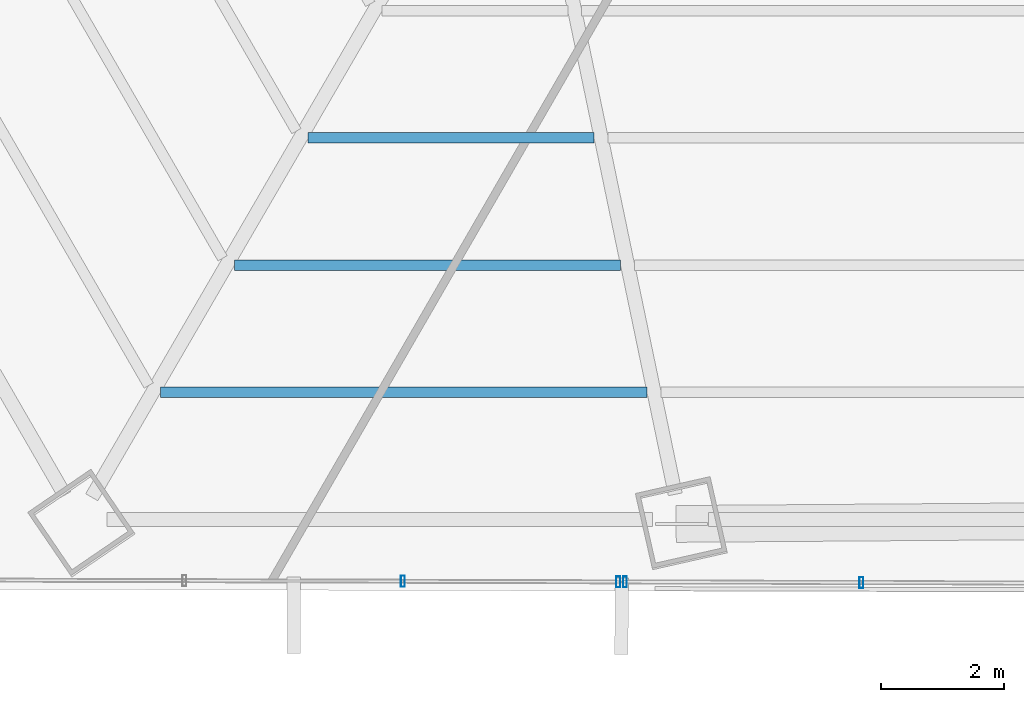
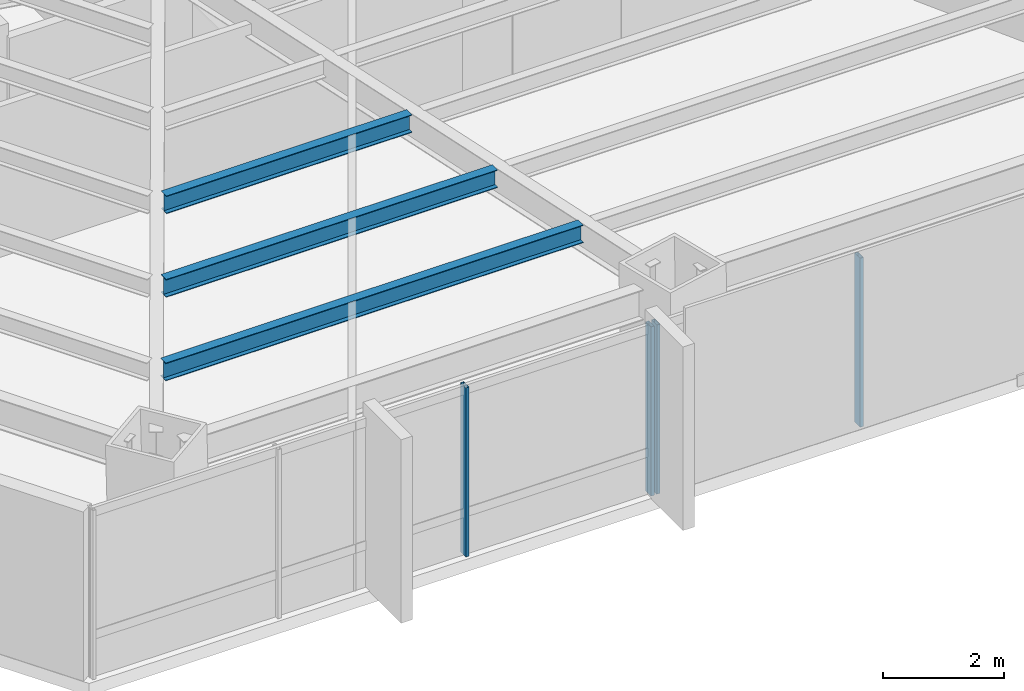
# One storey, part 5 of 29: 4 members, 3 beams, 2 elements without a shape of their own.
"""IFC4 building model written with IfcOpenShell, lengths in metres."""

from ifc_helpers import new_model, si_unit, direction, frame, origin, origin_2d, place, context, subcontext, project, spatial, hollow_rectangle, i_section, extrude, source, transform, mapped, material, material_profile, profile_set, type_object, type_shapes, element, aggregate, save


model = new_model("IFC4")

# Units and contexts
model_context = context("Model", 3, precision=1e-05, world=origin(), true_north=direction((0.0, 1.0)))
body_context = subcontext(model_context, "Body", "Model", "MODEL_VIEW")
ifc_project = project(units=[si_unit("LENGTHUNIT", "METRE"), si_unit("AREAUNIT", "SQUARE_METRE"), si_unit("VOLUMEUNIT", "CUBIC_METRE"), si_unit("PLANEANGLEUNIT", "RADIAN"), si_unit("MASSUNIT", "GRAM", prefix="KILO")], contexts=[model_context])

# Site, building, storey
site_placement = place(None, origin())
site = spatial("IfcSite", under=ifc_project, at=site_placement, CompositionType="ELEMENT")
building_placement = place(site_placement, origin())
building = spatial("IfcBuilding", under=site, at=building_placement, Name="Caelisora Broadcast Tower", CompositionType="ELEMENT")
storey_placement = place(building_placement, frame((0.0, 0.0, 31.25)))
storey = spatial("IfcBuildingStorey", under=building, at=storey_placement, Name="L07", CompositionType="ELEMENT", Elevation=31.25)

# Beams
ifc_material_1 = material(Name="Steel Grade 350 (AS/NZS 3679.1)", Category="steel")
ifc_material_profile_1 = material_profile(ifc_material_1, i_section(OverallWidth=0.172119140625, OverallDepth=0.358642578125, WebThickness=0.008056640625, FlangeThickness=0.012939453125, at=origin_2d()), Name="Steel Grade 350 (AS/NZS 3679.1)")
ifc_profile_set_1 = profile_set([ifc_material_profile_1], Name="Steel Grade 350 (AS/NZS 3679.1)")
beam_type = type_object("IfcBeamType", Name="SB02", PredefinedType="JOIST", material=ifc_profile_set_1)
shared_shape_1 = source(origin(), body_context, "Body", "SweptSolid", [
    extrude(i_section(OverallWidth=0.172119140625, OverallDepth=0.358642578125, WebThickness=0.008056640625, FlangeThickness=0.012939453125, at=origin_2d()), origin(), (0.0, 0.0, 1.0), 4.66796875),
])
beam_1_placement = place(storey_placement, frame((27.013427734375, 11.17236328125, 3.220703125), z_axis=(1.0, 0.0, 0.0), x_axis=(0.0, 1.0, 0.0)))
element("IfcBeam", 1, at=beam_1_placement, inside=storey, type_object=beam_type, Name="L07 beam SB02", PredefinedType="JOIST", context=body_context, shape_type="MappedRepresentation", body=[
    mapped(shared_shape_1, transform((0.0, 0.0, 0.0), scale=1.0)),
])
shared_shape_2 = source(origin(), body_context, "Body", "SweptSolid", [
    extrude(i_section(OverallWidth=0.172119140625, OverallDepth=0.358642578125, WebThickness=0.008056640625, FlangeThickness=0.012939453125, at=origin_2d()), origin(), (0.0, 0.0, 1.0), 6.3046875),
])
beam_2_placement = place(storey_placement, frame((25.808349609375, 9.096435546875, 3.220703125), z_axis=(1.0, 0.0, 0.0), x_axis=(0.0, 1.0, 0.0)))
element("IfcBeam", 2, at=beam_2_placement, inside=storey, type_object=beam_type, Name="L07 beam SB02", PredefinedType="JOIST", context=body_context, shape_type="MappedRepresentation", body=[
    mapped(shared_shape_2, transform((0.0, 0.0, 0.0), scale=1.0)),
])
shared_shape_3 = source(origin(), body_context, "Body", "SweptSolid", [
    extrude(i_section(OverallWidth=0.172119140625, OverallDepth=0.358642578125, WebThickness=0.008056640625, FlangeThickness=0.012939453125, at=origin_2d()), origin(), (0.0, 0.0, 1.0), 7.941650390625),
])
type_shapes(beam_type, [shared_shape_1, shared_shape_2, shared_shape_3])
beam_3_placement = place(storey_placement, frame((24.603271484375, 7.0205078125, 3.220703125), z_axis=(1.0, 0.0, 0.0), x_axis=(0.0, 1.0, 0.0)))
element("IfcBeam", 3, at=beam_3_placement, inside=storey, type_object=beam_type, Name="L07 beam SB02", PredefinedType="JOIST", context=body_context, shape_type="MappedRepresentation", body=[
    mapped(shared_shape_3, transform((0.0, 0.0, 0.0), scale=1.0)),
])

# Curtain wall, members
ifc_material_2 = material(Name="Unitised Aluminium Insulated Shadow-Box Spandrel Curtain Wall", Category="aluminium")
curtain_wall_type_1 = type_object("IfcCurtainWallType", Name="CW-SP1", PredefinedType="NOTDEFINED", material=ifc_material_2)
curtain_wall_1_placement = place(storey_placement, origin())
curtain_wall_1 = element("IfcCurtainWall", 4, at=curtain_wall_1_placement, inside=storey, type_object=curtain_wall_type_1, Name="L07 curtain wall CW-SP1", PredefinedType="NOTDEFINED")
ifc_material_3 = material(Name="Aluminium 6063-T6 Anodised Terracotta Bronze", Category="aluminium")
ifc_material_profile_2 = material_profile(ifc_material_3, hollow_rectangle(XDim=0.06494140625, YDim=0.179931640625, WallThickness=0.00341796875, at=origin_2d()), Name="Aluminium 6063-T6 Anodised Terracotta Bronze")
ifc_profile_set_2 = profile_set([ifc_material_profile_2], Name="Aluminium 6063-T6 Anodised Terracotta Bronze")
member_type = type_object("IfcMemberType", Name="CWM-02", PredefinedType="MULLION", material=ifc_profile_set_2)
shared_shape_4 = source(origin(), body_context, "Body", "SweptSolid", [
    extrude(hollow_rectangle(XDim=0.06494140625, YDim=0.179931640625, WallThickness=0.00341796875, at=origin_2d()), origin(), (0.0, 0.0, 1.0), 3.39990234375),
])
type_shapes(member_type, [shared_shape_4])
member_1_placement = place(storey_placement, frame((36.042724609375, 3.915771484375, 0.0), z_axis=(0.0, 0.0, 1.0), x_axis=(1.0, 0.0, 0.0)))
member_1 = element("IfcMember", 5, at=member_1_placement, type_object=member_type, Name="L07-CW-B06 mullion #2", PredefinedType="MULLION", context=body_context, shape_type="MappedRepresentation", body=[
    mapped(shared_shape_4, transform((0.0, 0.0, 0.0), scale=1.0)),
])
member_2_placement = place(storey_placement, frame((32.18359375, 3.926513671875, 0.0), z_axis=(0.0, 0.0, 1.0), x_axis=(1.0, 0.0, 0.0)))
member_2 = element("IfcMember", 6, at=member_2_placement, type_object=member_type, Name="L07-CW-B06 mullion #3", PredefinedType="MULLION", context=body_context, shape_type="MappedRepresentation", body=[
    mapped(shared_shape_4, transform((0.0, 0.0, 0.0), scale=1.0)),
])
aggregate(curtain_wall_1, [member_1, member_2])

ifc_material_4 = material(Name="Unitised Aluminium and Low-E Glass Curtain Wall", Category="glass")
curtain_wall_type_2 = type_object("IfcCurtainWallType", Name="CW-Z1", PredefinedType="NOTDEFINED", material=ifc_material_4)
curtain_wall_2_placement = place(storey_placement, origin())
curtain_wall_2 = element("IfcCurtainWall", 7, at=curtain_wall_2_placement, inside=storey, type_object=curtain_wall_type_2, Name="L07 curtain wall CW-Z1", PredefinedType="NOTDEFINED")
member_3_placement = place(storey_placement, frame((32.073486328125, 3.9267578125, 0.0), z_axis=(0.0, 0.0, 1.0), x_axis=(1.0, 0.0, 0.0)))
member_3 = element("IfcMember", 8, at=member_3_placement, type_object=member_type, Name="L07-CW-B07 mullion #0", PredefinedType="MULLION", context=body_context, shape_type="MappedRepresentation", body=[
    mapped(shared_shape_4, transform((0.0, 0.0, 0.0), scale=1.0)),
])
member_4_placement = place(storey_placement, frame((28.557373046875, 3.936279296875, 0.0), z_axis=(0.0, 0.0, 1.0), x_axis=(1.0, 0.0, 0.0)))
member_4 = element("IfcMember", 9, at=member_4_placement, type_object=member_type, Name="L07-CW-B07 mullion #1", PredefinedType="MULLION", context=body_context, shape_type="MappedRepresentation", body=[
    mapped(shared_shape_4, transform((0.0, 0.0, 0.0), scale=1.0)),
])
aggregate(curtain_wall_2, [member_3, member_4])

save(model, "model.ifc")
